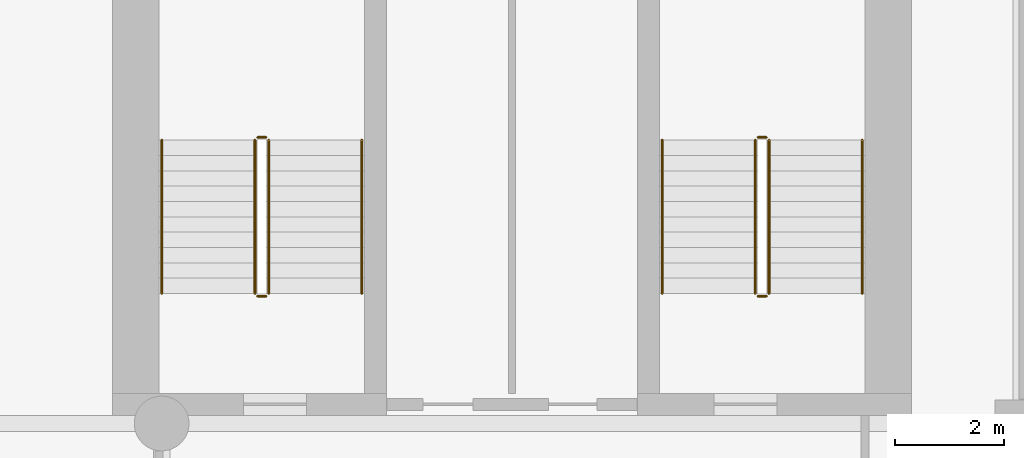
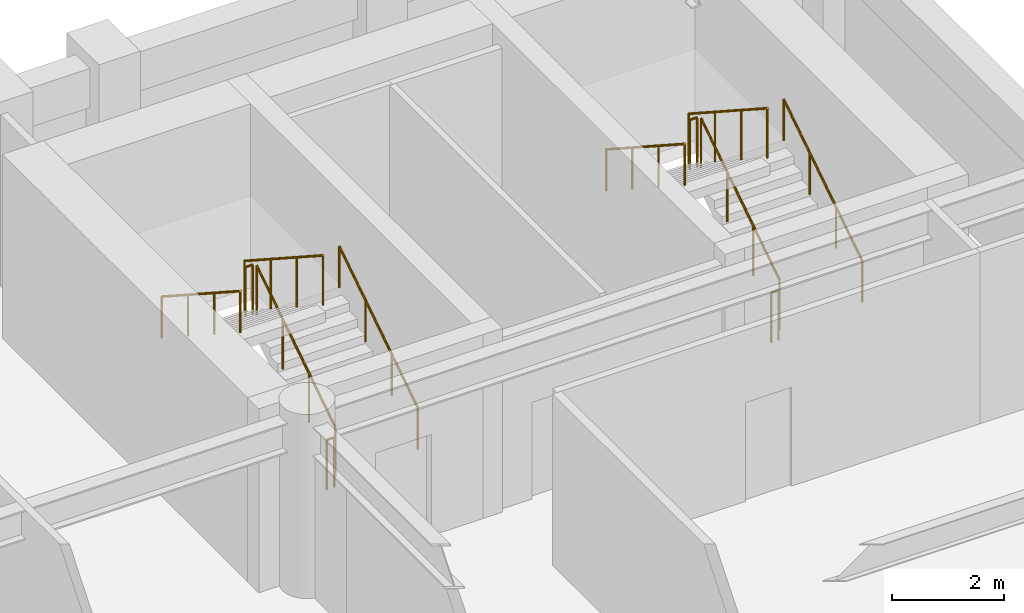
# One storey, part 8 of 8: 12 railings.
"""IFC4 building model written with IfcOpenShell, lengths in metres."""

from ifc_helpers import new_model, si_unit, direction, frame, origin, origin_2d, place, context, subcontext, project, spatial, circle, extrude, material, type_object, element, save


model = new_model("IFC4")

# Units and contexts
model_context = context("Model", 3, precision=1e-05, world=origin(), true_north=direction((0.0, 1.0)))
body_context = subcontext(model_context, "Body", "Model", "MODEL_VIEW")
ifc_project = project(units=[si_unit("LENGTHUNIT", "METRE"), si_unit("AREAUNIT", "SQUARE_METRE"), si_unit("VOLUMEUNIT", "CUBIC_METRE"), si_unit("PLANEANGLEUNIT", "RADIAN"), si_unit("MASSUNIT", "GRAM", prefix="KILO")], contexts=[model_context])

# Site, building, storey
site_placement = place(None, origin())
site = spatial("IfcSite", under=ifc_project, at=site_placement, CompositionType="ELEMENT")
building_placement = place(site_placement, origin())
building = spatial("IfcBuilding", under=site, at=building_placement, Name="Sulina Concourse Tower", CompositionType="ELEMENT")
storey_placement = place(building_placement, frame((0.0, 0.0, 152.60009765625)))
storey = spatial("IfcBuildingStorey", under=building, at=storey_placement, Name="L37", CompositionType="ELEMENT", Elevation=152.60009765625)

# Railings
ifc_material_1 = material(Name="Galvanised steel railing", Category="steel")
railing_type_1 = type_object("IfcRailingType", Name="Core Stair Steel Guardrail 1150mm", PredefinedType="GUARDRAIL", material=ifc_material_1)
railing_1_placement = place(storey_placement, frame((43.554931640625, 36.375, 0.181640625)))
element("IfcRailing", 1, at=railing_1_placement, inside=storey, type_object=railing_type_1, Name="L37 ST-3 stair guard 1", PredefinedType="GUARDRAIL", context=body_context, shape_type="SweptSolid", body=[
    extrude(circle(Radius=0.02392578125, at=origin_2d()), frame((0.0, 0.0, 1.076171875), z_axis=(0.0, 0.838672427954, 0.544636170843), x_axis=(-1.0, 0.0, 0.0)), (0.0, 0.0, 1.0), 3.338623046875),
    extrude(circle(Radius=0.02099609375, at=origin_2d()), origin(), (0.0, 0.0, 1.0), 1.052001953125),
    extrude(circle(Radius=0.02099609375, at=origin_2d()), frame((0.0, 0.933349609375, 0.606201171875)), (0.0, 0.0, 1.0), 1.052001953125),
    extrude(circle(Radius=0.02099609375, at=origin_2d()), frame((0.0, 1.86669921875, 1.212158203125)), (0.0, 0.0, 1.0), 1.052001953125),
    extrude(circle(Radius=0.02099609375, at=origin_2d()), frame((0.0, 2.800048828125, 1.818359375)), (0.0, 0.0, 1.0), 1.052001953125),
])
railing_2_placement = place(storey_placement, frame((43.5048828125, 39.22509765625, 2.0)))
element("IfcRailing", 2, at=railing_2_placement, inside=storey, type_object=railing_type_1, Name="L37 ST-3 stair guard 2", PredefinedType="GUARDRAIL", context=body_context, shape_type="SweptSolid", body=[
    extrude(circle(Radius=0.02392578125, at=origin_2d()), frame((0.0, 0.0, 1.076171875), z_axis=(-1.0, 0.0, 0.0), x_axis=(0.0, -1.0, 0.0)), (0.0, 0.0, 1.0), 0.14990234375),
    extrude(circle(Radius=0.02099609375, at=origin_2d()), origin(), (0.0, 0.0, 1.0), 1.052001953125),
    extrude(circle(Radius=0.02099609375, at=origin_2d()), frame((-0.14990234375, 0.0, 0.0)), (0.0, 0.0, 1.0), 1.052001953125),
])
railing_3_placement = place(storey_placement, frame((43.304931640625, 39.175048828125, 2.181640625)))
element("IfcRailing", 3, at=railing_3_placement, inside=storey, type_object=railing_type_1, Name="L37 ST-3 stair guard 3", PredefinedType="GUARDRAIL", context=body_context, shape_type="SweptSolid", body=[
    extrude(circle(Radius=0.02392578125, at=origin_2d()), frame((0.0, 0.0, 1.076171875), z_axis=(0.0, -0.838672427954, 0.544636170843), x_axis=(1.0, 0.0, 0.0)), (0.0, 0.0, 1.0), 3.338623046875),
    extrude(circle(Radius=0.02099609375, at=origin_2d()), origin(), (0.0, 0.0, 1.0), 1.052001953125),
    extrude(circle(Radius=0.02099609375, at=origin_2d()), frame((0.0, -0.933349609375, 0.606201171875)), (0.0, 0.0, 1.0), 1.052001953125),
    extrude(circle(Radius=0.02099609375, at=origin_2d()), frame((0.0, -1.86669921875, 1.212158203125)), (0.0, 0.0, 1.0), 1.052001953125),
    extrude(circle(Radius=0.02099609375, at=origin_2d()), frame((0.0, -2.800048828125, 1.818359375)), (0.0, 0.0, 1.0), 1.052001953125),
])
railing_4_placement = place(storey_placement, frame((43.5048828125, 36.324951171875, 0.0)))
element("IfcRailing", 4, at=railing_4_placement, inside=storey, type_object=railing_type_1, Name="L37 ST-3 stair guard 4", PredefinedType="GUARDRAIL", context=body_context, shape_type="SweptSolid", body=[
    extrude(circle(Radius=0.02392578125, at=origin_2d()), frame((0.0, 0.0, 1.076171875), z_axis=(-1.0, 0.0, 0.0), x_axis=(0.0, -1.0, 0.0)), (0.0, 0.0, 1.0), 0.14990234375),
    extrude(circle(Radius=0.02099609375, at=origin_2d()), origin(), (0.0, 0.0, 1.0), 1.052001953125),
    extrude(circle(Radius=0.02099609375, at=origin_2d()), frame((-0.14990234375, 0.0, 0.0)), (0.0, 0.0, 1.0), 1.052001953125),
])
railing_5_placement = place(storey_placement, frame((52.695068359375, 36.375, 0.181640625)))
element("IfcRailing", 5, at=railing_5_placement, inside=storey, type_object=railing_type_1, Name="L37 ST-4 stair guard 1", PredefinedType="GUARDRAIL", context=body_context, shape_type="SweptSolid", body=[
    extrude(circle(Radius=0.02392578125, at=origin_2d()), frame((0.0, 0.0, 1.076171875), z_axis=(0.0, 0.838672427954, 0.544636170843), x_axis=(-1.0, 0.0, 0.0)), (0.0, 0.0, 1.0), 3.338623046875),
    extrude(circle(Radius=0.02099609375, at=origin_2d()), origin(), (0.0, 0.0, 1.0), 1.052001953125),
    extrude(circle(Radius=0.02099609375, at=origin_2d()), frame((0.0, 0.933349609375, 0.606201171875)), (0.0, 0.0, 1.0), 1.052001953125),
    extrude(circle(Radius=0.02099609375, at=origin_2d()), frame((0.0, 1.86669921875, 1.212158203125)), (0.0, 0.0, 1.0), 1.052001953125),
    extrude(circle(Radius=0.02099609375, at=origin_2d()), frame((0.0, 2.800048828125, 1.818359375)), (0.0, 0.0, 1.0), 1.052001953125),
])
railing_6_placement = place(storey_placement, frame((52.64501953125, 39.22509765625, 2.0)))
element("IfcRailing", 6, at=railing_6_placement, inside=storey, type_object=railing_type_1, Name="L37 ST-4 stair guard 2", PredefinedType="GUARDRAIL", context=body_context, shape_type="SweptSolid", body=[
    extrude(circle(Radius=0.02392578125, at=origin_2d()), frame((0.0, 0.0, 1.076171875), z_axis=(-1.0, 0.0, 0.0), x_axis=(0.0, -1.0, 0.0)), (0.0, 0.0, 1.0), 0.14990234375),
    extrude(circle(Radius=0.02099609375, at=origin_2d()), origin(), (0.0, 0.0, 1.0), 1.052001953125),
    extrude(circle(Radius=0.02099609375, at=origin_2d()), frame((-0.14990234375, 0.0, 0.0)), (0.0, 0.0, 1.0), 1.052001953125),
])
railing_7_placement = place(storey_placement, frame((52.445068359375, 39.175048828125, 2.181640625)))
element("IfcRailing", 7, at=railing_7_placement, inside=storey, type_object=railing_type_1, Name="L37 ST-4 stair guard 3", PredefinedType="GUARDRAIL", context=body_context, shape_type="SweptSolid", body=[
    extrude(circle(Radius=0.02392578125, at=origin_2d()), frame((0.0, 0.0, 1.076171875), z_axis=(0.0, -0.838672427954, 0.544636170843), x_axis=(1.0, 0.0, 0.0)), (0.0, 0.0, 1.0), 3.338623046875),
    extrude(circle(Radius=0.02099609375, at=origin_2d()), origin(), (0.0, 0.0, 1.0), 1.052001953125),
    extrude(circle(Radius=0.02099609375, at=origin_2d()), frame((0.0, -0.933349609375, 0.606201171875)), (0.0, 0.0, 1.0), 1.052001953125),
    extrude(circle(Radius=0.02099609375, at=origin_2d()), frame((0.0, -1.86669921875, 1.212158203125)), (0.0, 0.0, 1.0), 1.052001953125),
    extrude(circle(Radius=0.02099609375, at=origin_2d()), frame((0.0, -2.800048828125, 1.818359375)), (0.0, 0.0, 1.0), 1.052001953125),
])
railing_8_placement = place(storey_placement, frame((52.64501953125, 36.324951171875, 0.0)))
element("IfcRailing", 8, at=railing_8_placement, inside=storey, type_object=railing_type_1, Name="L37 ST-4 stair guard 4", PredefinedType="GUARDRAIL", context=body_context, shape_type="SweptSolid", body=[
    extrude(circle(Radius=0.02392578125, at=origin_2d()), frame((0.0, 0.0, 1.076171875), z_axis=(-1.0, 0.0, 0.0), x_axis=(0.0, -1.0, 0.0)), (0.0, 0.0, 1.0), 0.14990234375),
    extrude(circle(Radius=0.02099609375, at=origin_2d()), origin(), (0.0, 0.0, 1.0), 1.052001953125),
    extrude(circle(Radius=0.02099609375, at=origin_2d()), frame((-0.14990234375, 0.0, 0.0)), (0.0, 0.0, 1.0), 1.052001953125),
])
ifc_material_2 = material(Name="Galvanised steel railing", Category="steel")
railing_type_2 = type_object("IfcRailingType", Name="Stair Wall Steel Handrail 920mm", PredefinedType="HANDRAIL", material=ifc_material_2)
railing_9_placement = place(storey_placement, frame((45.2548828125, 36.375, 0.181640625)))
element("IfcRailing", 9, at=railing_9_placement, inside=storey, type_object=railing_type_2, Name="L37 ST-3 stair handrail 1", PredefinedType="HANDRAIL", context=body_context, shape_type="SweptSolid", body=[
    extrude(circle(Radius=0.02392578125, at=origin_2d()), frame((0.0, 0.0, 0.89599609375), z_axis=(0.0, 0.838672427954, 0.544636170843), x_axis=(-1.0, 0.0, 0.0)), (0.0, 0.0, 1.0), 3.338623046875),
    extrude(circle(Radius=0.02099609375, at=origin_2d()), origin(), (0.0, 0.0, 1.0), 0.871826171875),
    extrude(circle(Radius=0.02099609375, at=origin_2d()), frame((0.0, 0.933349609375, 0.606201171875)), (0.0, 0.0, 1.0), 0.871826171875),
    extrude(circle(Radius=0.02099609375, at=origin_2d()), frame((0.0, 1.86669921875, 1.212158203125)), (0.0, 0.0, 1.0), 0.871826171875),
    extrude(circle(Radius=0.02099609375, at=origin_2d()), frame((0.0, 2.800048828125, 1.818359375)), (0.0, 0.0, 1.0), 0.871826171875),
])
railing_10_placement = place(storey_placement, frame((41.60498046875, 39.175048828125, 2.181640625)))
element("IfcRailing", 10, at=railing_10_placement, inside=storey, type_object=railing_type_2, Name="L37 ST-3 stair handrail 2", PredefinedType="HANDRAIL", context=body_context, shape_type="SweptSolid", body=[
    extrude(circle(Radius=0.02392578125, at=origin_2d()), frame((0.0, 0.0, 0.89599609375), z_axis=(0.0, -0.838672427954, 0.544636170843), x_axis=(1.0, 0.0, 0.0)), (0.0, 0.0, 1.0), 3.338623046875),
    extrude(circle(Radius=0.02099609375, at=origin_2d()), origin(), (0.0, 0.0, 1.0), 0.871826171875),
    extrude(circle(Radius=0.02099609375, at=origin_2d()), frame((0.0, -0.933349609375, 0.606201171875)), (0.0, 0.0, 1.0), 0.871826171875),
    extrude(circle(Radius=0.02099609375, at=origin_2d()), frame((0.0, -1.86669921875, 1.212158203125)), (0.0, 0.0, 1.0), 0.871826171875),
    extrude(circle(Radius=0.02099609375, at=origin_2d()), frame((0.0, -2.800048828125, 1.818359375)), (0.0, 0.0, 1.0), 0.871826171875),
])
railing_11_placement = place(storey_placement, frame((54.39501953125, 36.375, 0.181640625)))
element("IfcRailing", 11, at=railing_11_placement, inside=storey, type_object=railing_type_2, Name="L37 ST-4 stair handrail 1", PredefinedType="HANDRAIL", context=body_context, shape_type="SweptSolid", body=[
    extrude(circle(Radius=0.02392578125, at=origin_2d()), frame((0.0, 0.0, 0.89599609375), z_axis=(0.0, 0.838672427954, 0.544636170843), x_axis=(-1.0, 0.0, 0.0)), (0.0, 0.0, 1.0), 3.338623046875),
    extrude(circle(Radius=0.02099609375, at=origin_2d()), origin(), (0.0, 0.0, 1.0), 0.871826171875),
    extrude(circle(Radius=0.02099609375, at=origin_2d()), frame((0.0, 0.933349609375, 0.606201171875)), (0.0, 0.0, 1.0), 0.871826171875),
    extrude(circle(Radius=0.02099609375, at=origin_2d()), frame((0.0, 1.86669921875, 1.212158203125)), (0.0, 0.0, 1.0), 0.871826171875),
    extrude(circle(Radius=0.02099609375, at=origin_2d()), frame((0.0, 2.800048828125, 1.818359375)), (0.0, 0.0, 1.0), 0.871826171875),
])
railing_12_placement = place(storey_placement, frame((50.7451171875, 39.175048828125, 2.181640625)))
element("IfcRailing", 12, at=railing_12_placement, inside=storey, type_object=railing_type_2, Name="L37 ST-4 stair handrail 2", PredefinedType="HANDRAIL", context=body_context, shape_type="SweptSolid", body=[
    extrude(circle(Radius=0.02392578125, at=origin_2d()), frame((0.0, 0.0, 0.89599609375), z_axis=(0.0, -0.838672427954, 0.544636170843), x_axis=(1.0, 0.0, 0.0)), (0.0, 0.0, 1.0), 3.338623046875),
    extrude(circle(Radius=0.02099609375, at=origin_2d()), origin(), (0.0, 0.0, 1.0), 0.871826171875),
    extrude(circle(Radius=0.02099609375, at=origin_2d()), frame((0.0, -0.933349609375, 0.606201171875)), (0.0, 0.0, 1.0), 0.871826171875),
    extrude(circle(Radius=0.02099609375, at=origin_2d()), frame((0.0, -1.86669921875, 1.212158203125)), (0.0, 0.0, 1.0), 0.871826171875),
    extrude(circle(Radius=0.02099609375, at=origin_2d()), frame((0.0, -2.800048828125, 1.818359375)), (0.0, 0.0, 1.0), 0.871826171875),
])

save(model, "model.ifc")
